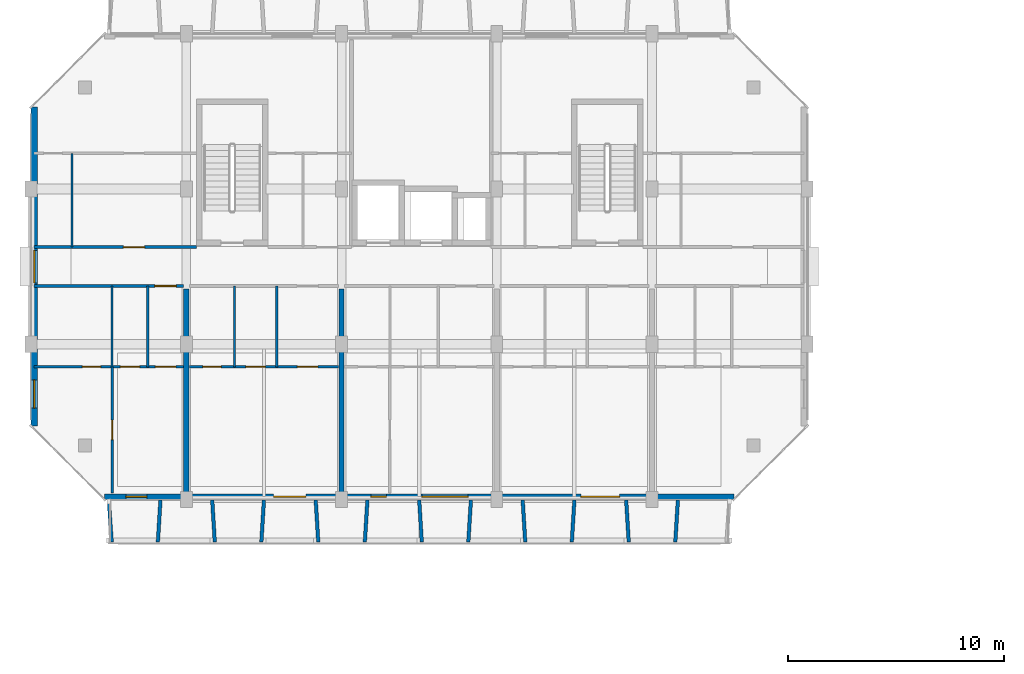
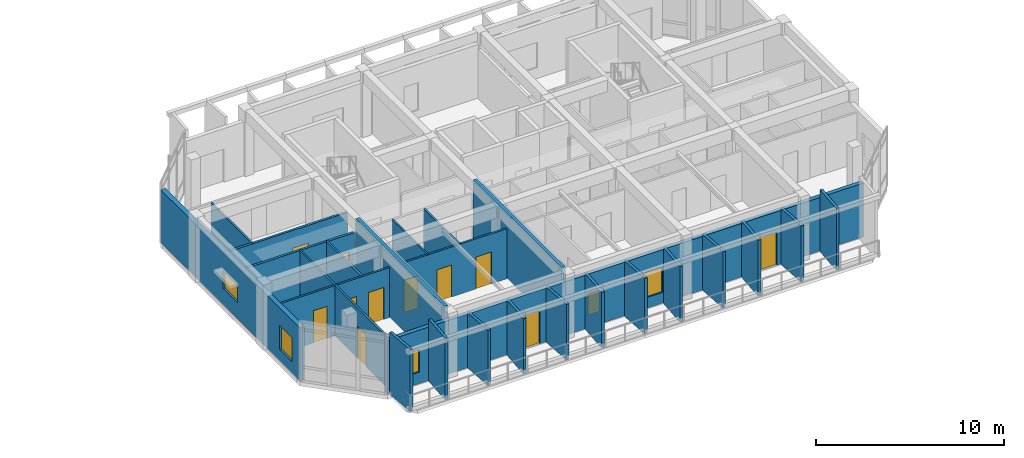
# One storey, part 46 of 85: 26 walls, 11 doors, 5 windows, 16 openings.
"""IFC4 building model written with IfcOpenShell, lengths in metres."""

import ifcopenshell
import ifcopenshell.guid

model = None  # the IFC model being written
_history = None  # IfcOwnerHistory: only IFC2X3 demands one
_inside = {}  # id of a spatial element -> (the spatial element, [elements in it])
_under = {}  # id of a project, library or spatial element -> (it, [spatial elements below it])
_declared = {}  # id of a project -> (the project, [libraries it declares])
_typed = {}  # id of a type object -> (the type object, [elements of that type])
_made_of = {}  # id of a material, layer set ... -> (it, [elements and type objects made of it])


def new_model(schema):
    """Start an empty IFC model of exactly this schema.

    Asked for "IFC4X3", IfcOpenShell would pick the latest addendum, in which some entities
    have other attributes; the version numbers below select the first issue.
    IFC2X3 requires an IfcOwnerHistory on every rooted entity: one is made here for all.
    """
    global model, _history
    if schema == "IFC4X3":
        model = ifcopenshell.file(schema_version=(4, 3, 0, 0))
    else:
        model = ifcopenshell.file(schema=schema)
    _inside.clear()
    _under.clear()
    _declared.clear()
    _typed.clear()
    _made_of.clear()
    _history = None
    if model.schema == "IFC2X3":
        org = make("IfcOrganization", Name="unknown")
        user = make(
            "IfcPersonAndOrganization",
            ThePerson=make("IfcPerson", FamilyName="unknown"),
            TheOrganization=org,
        )
        app = make(
            "IfcApplication",
            ApplicationDeveloper=org,
            Version="unknown",
            ApplicationFullName="unknown",
            ApplicationIdentifier="unknown",
        )
        _history = make(
            "IfcOwnerHistory",
            OwningUser=user,
            OwningApplication=app,
            ChangeAction="ADDED",
            CreationDate=0,
        )
    return model


def make(cls, **values):
    """One entity of the class cls with the attributes given. An attribute that is None is left unset."""
    return model.create_entity(
        cls, **{name: value for name, value in values.items() if value is not None}
    )


def rooted(cls, **values):
    """An entity with a GlobalId (a new one), such as an element, a storey or a relation."""
    return make(cls, GlobalId=ifcopenshell.guid.new(), OwnerHistory=_history, **values)


def si_unit(unit_type, name, prefix=None):
    """IfcSIUnit, for example si_unit("LENGTHUNIT", "METRE", prefix="MILLI")."""
    return make("IfcSIUnit", UnitType=unit_type, Prefix=prefix, Name=name)


def assignment(units):
    """IfcUnitAssignment: the units of a project."""
    return None if units is None else make("IfcUnitAssignment", Units=units)


def point(xyz):
    """IfcCartesianPoint."""
    return None if xyz is None else make("IfcCartesianPoint", Coordinates=xyz)


def direction(xyz):
    """IfcDirection."""
    return None if xyz is None else make("IfcDirection", DirectionRatios=xyz)


def frame(location, z_axis=None, x_axis=None):
    """IfcAxis2Placement3D, a coordinate frame: its origin and axes. An axis left out is left unset."""
    return make(
        "IfcAxis2Placement3D",
        Location=point(location),
        Axis=direction(z_axis),
        RefDirection=direction(x_axis),
    )


def frame_2d(location, x_axis=None):
    """IfcAxis2Placement2D, a coordinate frame in the plane: its origin and x axis."""
    return make(
        "IfcAxis2Placement2D", Location=point(location), RefDirection=direction(x_axis)
    )


def origin():
    """The frame at (0, 0, 0) with its axes left unset."""
    return frame((0.0, 0.0, 0.0))


def place(relative_to, where):
    """IfcLocalPlacement: puts the frame where relative to a parent placement (None: the world)."""
    return make(
        "IfcLocalPlacement", PlacementRelTo=relative_to, RelativePlacement=where
    )


def context(
    kind, dimensions, precision=None, world=None, true_north=None, identifier=None
):
    """IfcGeometricRepresentationContext, for example the 3D "Model" context."""
    return make(
        "IfcGeometricRepresentationContext",
        ContextIdentifier=identifier,
        ContextType=kind,
        CoordinateSpaceDimension=dimensions,
        Precision=precision,
        WorldCoordinateSystem=world,
        TrueNorth=true_north,
    )


def subcontext(parent, identifier, kind, view, scale=None):
    """IfcGeometricRepresentationSubContext, for example "Body" below "Model"."""
    return make(
        "IfcGeometricRepresentationSubContext",
        ContextIdentifier=identifier,
        ContextType=kind,
        ParentContext=parent,
        TargetScale=scale,
        TargetView=view,
    )


def project(units=None, contexts=None):
    """IfcProject with its units and contexts."""
    return rooted(
        "IfcProject",
        Name="project",
        RepresentationContexts=contexts,
        UnitsInContext=assignment(units),
    )


def spatial(cls, under=None, at=None, **own):
    """A site, building, storey or space (cls), placed at a placement, below another one or the project."""
    s = rooted(cls, ObjectPlacement=at, **own)
    if under is not None:
        _under.setdefault(under.id(), (under, []))[1].append(s)
    return s


def profile(cls, at=None, kind="AREA", **sizes):
    """A parametric profile (cls). Its sizes go by their IFC names, for example OverallWidth=200.0."""
    return make(cls, ProfileType=kind, Position=at, **sizes)


def rectangle(**sizes):
    """IfcRectangleProfileDef."""
    return profile("IfcRectangleProfileDef", **sizes)


def extrude(swept, where, along, depth):
    """IfcExtrudedAreaSolid: the profile swept, set in the frame where, extruded along a direction by depth."""
    return make(
        "IfcExtrudedAreaSolid",
        SweptArea=swept,
        Position=where,
        ExtrudedDirection=direction(along),
        Depth=depth,
    )


def shape(context_of_items, identifier, shape_type, items):
    """IfcShapeRepresentation: the items that make up one representation, for example the "Body"."""
    return make(
        "IfcShapeRepresentation",
        ContextOfItems=context_of_items,
        RepresentationIdentifier=identifier,
        RepresentationType=shape_type,
        Items=items,
    )


def material(Name=None, Category=None):
    """IfcMaterial."""
    return make("IfcMaterial", Name=Name, Category=Category)


def layer(
    of_material, thickness, ventilated=None, Name=None, Category=None, Priority=None
):
    """IfcMaterialLayer: one layer of a wall or slab, of a material (None: an air gap)."""
    return make(
        "IfcMaterialLayer",
        Material=of_material,
        LayerThickness=thickness,
        IsVentilated=ventilated,
        Name=Name,
        Category=Category,
        Priority=Priority,
    )


def layer_set(layers, Name=None):
    """IfcMaterialLayerSet."""
    return make("IfcMaterialLayerSet", MaterialLayers=layers, LayerSetName=Name)


def made_of(thing, what):
    """Note that an element or type object is made of a material, layer set ...; save() writes the relation."""
    if what is not None:
        _made_of.setdefault(what.id(), (what, []))[1].append(thing)
    return thing


def type_object(cls, material=None, **own):
    """A type object (cls), such as IfcWallType, which elements share."""
    return made_of(rooted(cls, **own), material)


def element(
    cls,
    number,
    at=None,
    inside=None,
    cuts=None,
    type_object=None,
    material=None,
    context=None,
    identifier="Body",
    shape_type=None,
    held_by="IfcProductDefinitionShape",
    body=None,
    shapes=None,
    **own,
):
    """One element of the class cls, such as IfcWall. Its Tag is "e" and its number.

    at: its placement. inside: the storey or other place that contains it. cuts: it is an
    opening in that element (IfcRelVoidsElement). A single representation is given by context,
    identifier, shape_type and body (its items); several are given by shapes. held_by: the class
    of the entity that holds the representations. save() writes the other relations.
    """
    e = rooted(cls, Tag="e%d" % number, ObjectPlacement=at, **own)
    if body is not None:
        shapes = [shape(context, identifier, shape_type, body)]
    if shapes is not None:
        e.Representation = make(held_by, Representations=shapes)
    if inside is not None:
        _inside.setdefault(inside.id(), (inside, []))[1].append(e)
    if cuts is not None:
        rooted(
            "IfcRelVoidsElement", RelatingBuildingElement=cuts, RelatedOpeningElement=e
        )
    if type_object is not None:
        _typed.setdefault(type_object.id(), (type_object, []))[1].append(e)
    return made_of(e, material)


def fill(opening, filler):
    """IfcRelFillsElement: the door or window that sits in an opening."""
    return rooted(
        "IfcRelFillsElement",
        RelatingOpeningElement=opening,
        RelatedBuildingElement=filler,
    )


def aggregate(whole, parts):
    """IfcRelAggregates: a whole, such as a stair, and the parts it consists of."""
    return rooted("IfcRelAggregates", RelatingObject=whole, RelatedObjects=parts)


def save(model, path):
    """Write the relations noted so far, then the file.

    IfcRelAggregates (storeys below a building ...), IfcRelContainedInSpatialStructure (elements
    in a storey), IfcRelDefinesByType, IfcRelAssociatesMaterial and IfcRelDeclares: one each for
    every whole, place, type object, material and project.
    """
    for whole, parts in _under.values():
        aggregate(whole, parts)
    for where, things in _inside.values():
        rooted(
            "IfcRelContainedInSpatialStructure",
            RelatedElements=things,
            RelatingStructure=where,
        )
    for kind, things in _typed.values():
        rooted("IfcRelDefinesByType", RelatedObjects=things, RelatingType=kind)
    for what, things in _made_of.values():
        rooted("IfcRelAssociatesMaterial", RelatedObjects=things, RelatingMaterial=what)
    for by, libraries in _declared.values():
        rooted("IfcRelDeclares", RelatingContext=by, RelatedDefinitions=libraries)
    model.write(path)


model = new_model("IFC4")

# Units and contexts
model_context = context("Model", 3, precision=1e-05, world=origin(), true_north=direction((0.0, 1.0)))
body_context = subcontext(model_context, "Body", "Model", "MODEL_VIEW")
ifc_project = project(units=[si_unit("LENGTHUNIT", "METRE"), si_unit("AREAUNIT", "SQUARE_METRE"), si_unit("VOLUMEUNIT", "CUBIC_METRE"), si_unit("PLANEANGLEUNIT", "RADIAN"), si_unit("MASSUNIT", "GRAM", prefix="KILO")], contexts=[model_context])

# Site, building, storey
site_placement = place(None, origin())
site = spatial("IfcSite", under=ifc_project, at=site_placement, CompositionType="ELEMENT")
building_placement = place(site_placement, origin())
building = spatial("IfcBuilding", under=site, at=building_placement, Name="Ochrevale Crest", CompositionType="ELEMENT")
storey_placement = place(building_placement, frame((0.0, 0.0, 4.5)))
storey = spatial("IfcBuildingStorey", under=building, at=storey_placement, Name="L01", CompositionType="ELEMENT", Elevation=4.5)

# Wall, opening, door
ifc_material_1 = material(Name="Gypsum plasterboard", Category="gypsum")
ifc_layer_1 = layer(ifc_material_1, 0.139892578125)
ifc_layer_set_1 = layer_set([ifc_layer_1], Name="Gypsum plasterboard")
wall_type_1 = type_object("IfcWallType", Name="WL-COR-140", PredefinedType="PARTITIONING", material=ifc_layer_set_1)
wall_1_placement = place(storey_placement, frame((0.139892578125, 24.300048828125, 0.0), z_axis=(0.0, 0.0, 1.0), x_axis=(1.0, 0.0, 0.0)))
wall_1 = element("IfcWall", 1, at=wall_1_placement, inside=storey, type_object=wall_type_1, Name="Apartment A-L01-U1 corridor wall", PredefinedType="PARTITIONING", context=body_context, shape_type="SweptSolid", body=[
    extrude(rectangle(XDim=6.920166015625, YDim=0.139892578125, at=frame_2d((3.4599609375, 0.0))), origin(), (0.0, 0.0, 1.0), 3.25),
])
opening_1_placement = place(wall_1_placement, frame((6.5849609375, 0.0, 0.0), z_axis=(0.0, 0.0, 1.0), x_axis=(-1.0, 0.0, 0.0)))
opening_1 = element("IfcOpeningElement", 2, at=opening_1_placement, cuts=wall_1, Name="Opening FD01", PredefinedType="OPENING", context=body_context, shape_type="SweptSolid", body=[
    extrude(rectangle(XDim=0.97998046875, YDim=2.10009765625, at=frame_2d((0.489990234375, 1.050048828125))), frame((0.0, 0.080078125, 0.0), z_axis=(0.0, -1.0, 0.0), x_axis=(1.0, 0.0, 0.0)), (0.0, 0.0, 1.0), 0.159912109375),
])
ifc_material_2 = material(Name="Solid-core FSC hardwood", Category="wood")
door_type_1 = type_object("IfcDoorType", Name="DR-APT-950", OperationType="NOTDEFINED", PredefinedType="DOOR", material=ifc_material_2)
door_1_placement = place(opening_1_placement, origin())
door_1 = element("IfcDoor", 3, at=door_1_placement, inside=storey, type_object=door_type_1, Name="Apartment A-L01-U1 entrance door", OperationType="SINGLE_SWING_RIGHT", OverallHeight=2.10009765625, OverallWidth=0.97998046875, PredefinedType="DOOR", context=body_context, shape_type="SweptSolid", body=[
    extrude(rectangle(XDim=0.97998046875, YDim=2.10009765625, at=frame_2d((0.489990234375, 1.050048828125))), frame((0.0, 0.02490234375, 0.0), z_axis=(0.0, -1.0, 0.0), x_axis=(1.0, 0.0, 0.0)), (0.0, 0.0, 1.0), 0.050048828125),
])
fill(opening_1, door_1)

wall_2_placement = place(storey_placement, frame((0.139892578125, 26.10009765625, 0.0), z_axis=(0.0, 0.0, 1.0), x_axis=(1.0, 0.0, 0.0)))
wall_2 = element("IfcWall", 4, at=wall_2_placement, inside=storey, type_object=wall_type_1, Name="Suite A-L01-CW corridor wall", PredefinedType="PARTITIONING", context=body_context, shape_type="SweptSolid", body=[
    extrude(rectangle(XDim=7.52001953125, YDim=0.139892578125, at=frame_2d((3.760009765625, 0.0))), origin(), (0.0, 0.0, 1.0), 3.25),
])
opening_2_placement = place(wall_2_placement, frame((5.125, 0.0, 0.0), z_axis=(0.0, 0.0, 1.0), x_axis=(-1.0, 0.0, 0.0)))
opening_2 = element("IfcOpeningElement", 5, at=opening_2_placement, cuts=wall_2, Name="Opening FD01", PredefinedType="OPENING", context=body_context, shape_type="SweptSolid", body=[
    extrude(rectangle(XDim=0.97998046875, YDim=2.10009765625, at=frame_2d((0.489990234375, 1.050048828125))), frame((0.0, 0.080078125, 0.0), z_axis=(0.0, -1.0, 0.0), x_axis=(1.0, 0.0, 0.0)), (0.0, 0.0, 1.0), 0.159912109375),
])
door_2_placement = place(opening_2_placement, origin())
door_2 = element("IfcDoor", 6, at=door_2_placement, inside=storey, type_object=door_type_1, Name="Suite A-L01-CW entrance door", OperationType="SINGLE_SWING_RIGHT", OverallHeight=2.10009765625, OverallWidth=0.97998046875, PredefinedType="DOOR", context=body_context, shape_type="SweptSolid", body=[
    extrude(rectangle(XDim=0.97998046875, YDim=2.10009765625, at=frame_2d((0.489990234375, 1.050048828125))), frame((0.0, 0.02490234375, 0.0), z_axis=(0.0, -1.0, 0.0), x_axis=(1.0, 0.0, 0.0)), (0.0, 0.0, 1.0), 0.050048828125),
])
fill(opening_2, door_2)

# Wall, openings, windows
ifc_material_3 = material(Name="Clay face brickwork", Category="masonry")
ifc_layer_2 = layer(ifc_material_3, 0.2900390625)
ifc_layer_set_2 = layer_set([ifc_layer_2], Name="Clay face brickwork")
wall_type_2 = type_object("IfcWallType", Name="WL-EXT-BRICK-290", PredefinedType="SOLIDWALL", material=ifc_layer_set_2)
wall_3_placement = place(storey_placement, frame((0.14501953125, 32.60009765625, 0.0), z_axis=(0.0, 0.0, 1.0), x_axis=(0.0, -1.0, 0.0)))
wall_3 = element("IfcWall", 7, at=wall_3_placement, inside=storey, type_object=wall_type_2, Name="Block A L01 external facade wall E7", PredefinedType="SOLIDWALL", context=body_context, shape_type="SweptSolid", body=[
    extrude(rectangle(XDim=14.800048828125, YDim=0.2900390625, at=frame_2d((7.39990234375, 0.0))), origin(), (0.0, 0.0, 1.0), 3.429931640625),
])
opening_3_placement = place(wall_3_placement, frame((6.64990234375, 0.0, 1.050048828125)))
opening_3 = element("IfcOpeningElement", 8, at=opening_3_placement, cuts=wall_3, Name="Opening W18", PredefinedType="OPENING", context=body_context, shape_type="SweptSolid", body=[
    extrude(rectangle(XDim=1.5, YDim=1.14990234375, at=frame_2d((0.75, 0.574951171875))), frame((0.0, 0.155029296875, 0.0), z_axis=(0.0, -1.0, 0.0), x_axis=(1.0, 0.0, 0.0)), (0.0, 0.0, 1.0), 0.31005859375),
])
opening_4_placement = place(wall_3_placement, frame((12.659912109375, 0.0, 0.75)))
opening_4 = element("IfcOpeningElement", 9, at=opening_4_placement, cuts=wall_3, Name="Opening W30", PredefinedType="OPENING", context=body_context, shape_type="SweptSolid", body=[
    extrude(rectangle(XDim=1.300048828125, YDim=1.550048828125, at=frame_2d((0.64990234375, 0.77490234375))), frame((0.0, 0.155029296875, 0.0), z_axis=(0.0, -1.0, 0.0), x_axis=(1.0, 0.0, 0.0)), (0.0, 0.0, 1.0), 0.31005859375),
])
ifc_material_4 = material(Name="Anodised aluminium 6063-T5 and low-E double glazing", Category="aluminium")
window_type_1 = type_object("IfcWindowType", Name="WIN-W18", PartitioningType="SINGLE_PANEL", PredefinedType="WINDOW", material=ifc_material_4)
window_1_placement = place(opening_3_placement, origin())
window_1 = element("IfcWindow", 10, at=window_1_placement, inside=storey, type_object=window_type_1, Name="Block A L01 corridor end daylight window W", OverallHeight=1.14990234375, OverallWidth=1.5, PartitioningType="SINGLE_PANEL", PredefinedType="WINDOW", context=body_context, shape_type="SweptSolid", body=[
    extrude(rectangle(XDim=1.5, YDim=1.14990234375, at=frame_2d((0.75, 0.574951171875))), frame((0.0, 0.030029296875, 0.0), z_axis=(0.0, -1.0, 0.0), x_axis=(1.0, 0.0, 0.0)), (0.0, 0.0, 1.0), 0.06005859375),
])
fill(opening_3, window_1)
window_type_2 = type_object("IfcWindowType", Name="WIN-W30", PartitioningType="SINGLE_PANEL", PredefinedType="WINDOW", material=ifc_material_4)
window_2_placement = place(opening_4_placement, origin())
window_2 = element("IfcWindow", 11, at=window_2_placement, inside=storey, type_object=window_type_2, Name="Block A L01 side suite window W", OverallHeight=1.550048828125, OverallWidth=1.300048828125, PartitioningType="SINGLE_PANEL", PredefinedType="WINDOW", context=body_context, shape_type="SweptSolid", body=[
    extrude(rectangle(XDim=1.300048828125, YDim=1.550048828125, at=frame_2d((0.64990234375, 0.77490234375))), frame((0.0, 0.030029296875, 0.0), z_axis=(0.0, -1.0, 0.0), x_axis=(1.0, 0.0, 0.0)), (0.0, 0.0, 1.0), 0.06005859375),
])
fill(opening_4, window_2)

# Wall, openings, doors, windows
ifc_material_5 = material(Name="Precast concrete C40/50", Category="concrete")
ifc_layer_3 = layer(ifc_material_5, 0.25)
ifc_layer_set_3 = layer_set([ifc_layer_3], Name="Precast concrete C40/50")
wall_type_3 = type_object("IfcWallType", Name="WL-EXT-GOLD-250", PredefinedType="SOLIDWALL", material=ifc_layer_set_3)
wall_4_placement = place(storey_placement, frame((3.39990234375, 14.52490234375, 0.0), z_axis=(0.0, 0.0, 1.0), x_axis=(1.0, 0.0, 0.0)))
wall_4 = element("IfcWall", 12, at=wall_4_placement, inside=storey, type_object=wall_type_3, Name="Block A L01 external facade wall E1", PredefinedType="SOLIDWALL", context=body_context, shape_type="SweptSolid", body=[
    extrude(rectangle(XDim=29.2001953125, YDim=0.25, at=frame_2d((14.60009765625, 0.0))), origin(), (0.0, 0.0, 1.0), 3.47998046875),
])
opening_5_placement = place(wall_4_placement, frame((9.35009765625, 0.0, 0.0), z_axis=(0.0, 0.0, 1.0), x_axis=(-1.0, 0.0, 0.0)))
opening_5 = element("IfcOpeningElement", 13, at=opening_5_placement, cuts=wall_4, Name="Opening BD01", PredefinedType="OPENING", context=body_context, shape_type="SweptSolid", body=[
    extrude(rectangle(XDim=1.5, YDim=2.14990234375, at=frame_2d((0.75, 1.074951171875))), frame((0.0, 0.135009765625, 0.0), z_axis=(0.0, -1.0, 0.0), x_axis=(1.0, 0.0, 0.0)), (0.0, 0.0, 1.0), 0.27001953125),
])
opening_6_placement = place(wall_4_placement, frame((23.900146484375, 0.0, 0.0), z_axis=(0.0, 0.0, 1.0), x_axis=(-1.0, 0.0, 0.0)))
opening_6 = element("IfcOpeningElement", 14, at=opening_6_placement, cuts=wall_4, Name="Opening BD03", PredefinedType="OPENING", context=body_context, shape_type="SweptSolid", body=[
    extrude(rectangle(XDim=1.800048828125, YDim=2.14990234375, at=frame_2d((0.89990234375, 1.074951171875))), frame((0.0, 0.135009765625, 0.0), z_axis=(0.0, -1.0, 0.0), x_axis=(1.0, 0.0, 0.0)), (0.0, 0.0, 1.0), 0.27001953125),
])
opening_7_placement = place(wall_4_placement, frame((0.9951171875, 0.0, 0.75)))
opening_7 = element("IfcOpeningElement", 15, at=opening_7_placement, cuts=wall_4, Name="Opening W04", PredefinedType="OPENING", context=body_context, shape_type="SweptSolid", body=[
    extrude(rectangle(XDim=0.97998046875, YDim=1.449951171875, at=frame_2d((0.489990234375, 0.72509765625))), frame((0.0, 0.135009765625, 0.0), z_axis=(0.0, -1.0, 0.0), x_axis=(1.0, 0.0, 0.0)), (0.0, 0.0, 1.0), 0.27001953125),
])
opening_8_placement = place(wall_4_placement, frame((12.35498046875, 0.0, 0.75)))
opening_8 = element("IfcOpeningElement", 16, at=opening_8_placement, cuts=wall_4, Name="Opening W02", PredefinedType="OPENING", context=body_context, shape_type="SweptSolid", body=[
    extrude(rectangle(XDim=0.719970703125, YDim=1.35009765625, at=frame_2d((0.35986328125, 0.675048828125))), frame((0.0, 0.135009765625, 0.0), z_axis=(0.0, -1.0, 0.0), x_axis=(1.0, 0.0, 0.0)), (0.0, 0.0, 1.0), 0.27001953125),
])
opening_9_placement = place(wall_4_placement, frame((14.72509765625, 0.0, 0.699951171875)))
opening_9 = element("IfcOpeningElement", 17, at=opening_9_placement, cuts=wall_4, Name="Opening W13", PredefinedType="OPENING", context=body_context, shape_type="SweptSolid", body=[
    extrude(rectangle(XDim=2.14990234375, YDim=1.64990234375, at=frame_2d((1.074951171875, 0.824951171875))), frame((0.0, 0.135009765625, 0.0), z_axis=(0.0, -1.0, 0.0), x_axis=(1.0, 0.0, 0.0)), (0.0, 0.0, 1.0), 0.27001953125),
])
ifc_material_6 = material(Name="Anodised aluminium 6063-T5 and toughened glass", Category="aluminium")
door_type_2 = type_object("IfcDoorType", Name="DR-BAL-1500", OperationType="NOTDEFINED", PredefinedType="DOOR", material=ifc_material_6)
door_3_placement = place(opening_5_placement, origin())
door_3 = element("IfcDoor", 18, at=door_3_placement, inside=storey, type_object=door_type_2, Name="Block A L01 balcony door S2", OperationType="SINGLE_SWING_LEFT", OverallHeight=2.14990234375, OverallWidth=1.5, PredefinedType="DOOR", context=body_context, shape_type="SweptSolid", body=[
    extrude(rectangle(XDim=1.5, YDim=2.14990234375, at=frame_2d((0.75, 1.074951171875))), frame((0.0, 0.02490234375, 0.0), z_axis=(0.0, -1.0, 0.0), x_axis=(1.0, 0.0, 0.0)), (0.0, 0.0, 1.0), 0.050048828125),
])
fill(opening_5, door_3)
door_type_3 = type_object("IfcDoorType", Name="DR-BAL-1800", OperationType="NOTDEFINED", PredefinedType="DOOR", material=ifc_material_6)
door_4_placement = place(opening_6_placement, origin())
door_4 = element("IfcDoor", 19, at=door_4_placement, inside=storey, type_object=door_type_3, Name="Block A L01 balcony door S4", OperationType="SINGLE_SWING_RIGHT", OverallHeight=2.14990234375, OverallWidth=1.800048828125, PredefinedType="DOOR", context=body_context, shape_type="SweptSolid", body=[
    extrude(rectangle(XDim=1.800048828125, YDim=2.14990234375, at=frame_2d((0.89990234375, 1.074951171875))), frame((0.0, 0.02490234375, 0.0), z_axis=(0.0, -1.0, 0.0), x_axis=(1.0, 0.0, 0.0)), (0.0, 0.0, 1.0), 0.050048828125),
])
fill(opening_6, door_4)
window_type_3 = type_object("IfcWindowType", Name="WIN-W02", PartitioningType="SINGLE_PANEL", PredefinedType="WINDOW", material=ifc_material_4)
window_3_placement = place(opening_8_placement, origin())
window_3 = element("IfcWindow", 20, at=window_3_placement, inside=storey, type_object=window_type_3, Name="Block A L01 Apartment A-L01-U3 Master Bedroom window", OverallHeight=1.35009765625, OverallWidth=0.719970703125, PartitioningType="SINGLE_PANEL", PredefinedType="WINDOW", context=body_context, shape_type="SweptSolid", body=[
    extrude(rectangle(XDim=0.719970703125, YDim=1.35009765625, at=frame_2d((0.35986328125, 0.675048828125))), frame((0.0, 0.030029296875, 0.0), z_axis=(0.0, -1.0, 0.0), x_axis=(1.0, 0.0, 0.0)), (0.0, 0.0, 1.0), 0.06005859375),
])
fill(opening_8, window_3)
window_type_4 = type_object("IfcWindowType", Name="WIN-W04", PartitioningType="SINGLE_PANEL", PredefinedType="WINDOW", material=ifc_material_4)
window_4_placement = place(opening_7_placement, origin())
window_4 = element("IfcWindow", 21, at=window_4_placement, inside=storey, type_object=window_type_4, Name="Block A L01 Apartment A-L01-U1 Three Bedroom Family Living window", OverallHeight=1.449951171875, OverallWidth=0.97998046875, PartitioningType="SINGLE_PANEL", PredefinedType="WINDOW", context=body_context, shape_type="SweptSolid", body=[
    extrude(rectangle(XDim=0.97998046875, YDim=1.449951171875, at=frame_2d((0.489990234375, 0.72509765625))), frame((0.0, 0.030029296875, 0.0), z_axis=(0.0, -1.0, 0.0), x_axis=(1.0, 0.0, 0.0)), (0.0, 0.0, 1.0), 0.06005859375),
])
fill(opening_7, window_4)
window_type_5 = type_object("IfcWindowType", Name="WIN-W13", PartitioningType="SINGLE_PANEL", PredefinedType="WINDOW", material=ifc_material_4)
window_5_placement = place(opening_9_placement, origin())
window_5 = element("IfcWindow", 22, at=window_5_placement, inside=storey, type_object=window_type_5, Name="Block A L01 Apartment A-L01-U3 One Bedroom Living Room window", OverallHeight=1.64990234375, OverallWidth=2.14990234375, PartitioningType="SINGLE_PANEL", PredefinedType="WINDOW", context=body_context, shape_type="SweptSolid", body=[
    extrude(rectangle(XDim=2.14990234375, YDim=1.64990234375, at=frame_2d((1.074951171875, 0.824951171875))), frame((0.0, 0.030029296875, 0.0), z_axis=(0.0, -1.0, 0.0), x_axis=(1.0, 0.0, 0.0)), (0.0, 0.0, 1.0), 0.06005859375),
])
fill(opening_9, window_5)

# Walls
ifc_layer_4 = layer(ifc_material_5, 0.1650390625)
ifc_layer_set_4 = layer_set([ifc_layer_4], Name="Precast concrete C40/50")
wall_type_4 = type_object("IfcWallType", Name="WL-HC-CHEEK-165", PredefinedType="ELEMENTEDWALL", material=ifc_layer_set_4)
wall_5_placement = place(storey_placement, frame((3.60009765625, 14.3798828125, 0.0), z_axis=(0.0, 0.0, 1.0), x_axis=(0.071194071069, -0.997462482625, 0.0)))
element("IfcWall", 23, at=wall_5_placement, inside=storey, type_object=wall_type_4, Name="Block A L01 S precast honeycomb cheek 1", PredefinedType="ELEMENTEDWALL", context=body_context, shape_type="SweptSolid", body=[
    extrude(rectangle(XDim=1.96484375, YDim=0.1650390625, at=frame_2d((0.982421875, 0.0))), origin(), (0.0, 0.0, 1.0), 4.0),
])
wall_6_placement = place(storey_placement, frame((6.0, 14.3798828125, 0.0), z_axis=(0.0, 0.0, 1.0), x_axis=(-0.061170732449, -0.998127317276, 0.0)))
element("IfcWall", 24, at=wall_6_placement, inside=storey, type_object=wall_type_4, Name="Block A L01 S precast honeycomb cheek 2", PredefinedType="ELEMENTEDWALL", context=body_context, shape_type="SweptSolid", body=[
    extrude(rectangle(XDim=1.963623046875, YDim=0.1650390625, at=frame_2d((0.98193359375, 0.0))), origin(), (0.0, 0.0, 1.0), 4.0),
])
for number, where, z_axis, x_axis, name in (
    (25, (8.39990234375, 14.3798828125, 0.0), (0.0, 0.0, 1.0), (0.061170732449, -0.998127317276, 0.0), "Block A L01 S precast honeycomb cheek 3"),
    (26, (10.800048828125, 14.3798828125, 0.0), (0.0, 0.0, 1.0), (-0.061170732449, -0.998127317276, 0.0), "Block A L01 S precast honeycomb cheek 4"),
    (27, (13.199951171875, 14.3798828125, 0.0), (0.0, 0.0, 1.0), (0.061170732449, -0.998127317276, 0.0), "Block A L01 S precast honeycomb cheek 5"),
):
    element("IfcWall", number, at=place(storey_placement, frame(where, z_axis=z_axis, x_axis=x_axis)), inside=storey, type_object=wall_type_4, Name=name, PredefinedType="ELEMENTEDWALL", context=body_context, shape_type="SweptSolid", body=[
        extrude(rectangle(XDim=1.963623046875, YDim=0.1650390625, at=frame_2d((0.98193359375, 0.0))), origin(), (0.0, 0.0, 1.0), 3.580078125),
    ])
for number, where, z_axis, x_axis, name in (
    (28, (15.60009765625, 14.3798828125, 0.0), (0.0, 0.0, 1.0), (-0.061170732449, -0.998127317276, 0.0), "Block A L01 S precast honeycomb cheek 6"),
    (29, (18.0, 14.3798828125, 0.0), (0.0, 0.0, 1.0), (0.061170732449, -0.998127317276, 0.0), "Block A L01 S precast honeycomb cheek 7"),
    (30, (20.39990234375, 14.3798828125, 0.0), (0.0, 0.0, 1.0), (-0.061046865508, -0.998134900808, 0.0), "Block A L01 S precast honeycomb cheek 8"),
):
    element("IfcWall", number, at=place(storey_placement, frame(where, z_axis=z_axis, x_axis=x_axis)), inside=storey, type_object=wall_type_4, Name=name, PredefinedType="ELEMENTEDWALL", context=body_context, shape_type="SweptSolid", body=[
        extrude(rectangle(XDim=1.963623046875, YDim=0.1650390625, at=frame_2d((0.98193359375, 0.0))), origin(), (0.0, 0.0, 1.0), 3.60009765625),
    ])
for number, where, z_axis, x_axis, name in (
    (31, (22.800048828125, 14.3798828125, 0.0), (0.0, 0.0, 1.0), (0.061046865508, -0.998134900808, 0.0), "Block A L01 S precast honeycomb cheek 9"),
    (32, (25.199951171875, 14.3798828125, 0.0), (0.0, 0.0, 1.0), (-0.061046865508, -0.998134900808, 0.0), "Block A L01 S precast honeycomb cheek 10"),
    (33, (27.60009765625, 14.3798828125, 0.0), (0.0, 0.0, 1.0), (0.061046865508, -0.998134900808, 0.0), "Block A L01 S precast honeycomb cheek 11"),
):
    element("IfcWall", number, at=place(storey_placement, frame(where, z_axis=z_axis, x_axis=x_axis)), inside=storey, type_object=wall_type_4, Name=name, PredefinedType="ELEMENTEDWALL", context=body_context, shape_type="SweptSolid", body=[
        extrude(rectangle(XDim=1.963623046875, YDim=0.1650390625, at=frame_2d((0.98193359375, 0.0))), origin(), (0.0, 0.0, 1.0), 3.6298828125),
    ])
wall_7_placement = place(storey_placement, frame((30.0, 14.3798828125, 0.0), z_axis=(0.0, 0.0, 1.0), x_axis=(-0.061170732449, -0.998127317276, 0.0)))
element("IfcWall", 34, at=wall_7_placement, inside=storey, type_object=wall_type_4, Name="Block A L01 S precast honeycomb cheek 12", PredefinedType="ELEMENTEDWALL", context=body_context, shape_type="SweptSolid", body=[
    extrude(rectangle(XDim=1.963623046875, YDim=0.1650390625, at=frame_2d((0.98193359375, 0.0))), origin(), (0.0, 0.0, 1.0), 4.0),
])
ifc_layer_5 = layer(ifc_material_1, 0.1201171875)
ifc_layer_set_5 = layer_set([ifc_layer_5], Name="Gypsum plasterboard")
wall_type_5 = type_object("IfcWallType", Name="WL-PART-120", PredefinedType="PARTITIONING", material=ifc_layer_set_5)
wall_8_placement = place(storey_placement, frame((5.409912109375, 20.550048828125, 0.0), z_axis=(0.0, 0.0, 1.0), x_axis=(0.0, 1.0, 0.0)))
element("IfcWall", 35, at=wall_8_placement, inside=storey, type_object=wall_type_5, Name="Apartment A-L01-U1 kitchen-foyer wall", PredefinedType="PARTITIONING", context=body_context, shape_type="SweptSolid", body=[
    extrude(rectangle(XDim=3.75, YDim=0.1201171875, at=frame_2d((1.875, 0.0))), origin(), (0.0, 0.0, 1.0), 3.25),
])

# Wall, openings, doors
wall_9_placement = place(storey_placement, frame((0.139892578125, 20.550048828125, 0.0), z_axis=(0.0, 0.0, 1.0), x_axis=(1.0, 0.0, 0.0)))
wall_9 = element("IfcWall", 36, at=wall_9_placement, inside=storey, type_object=wall_type_5, Name="Apartment A-L01-U1 central partition", PredefinedType="PARTITIONING", context=body_context, shape_type="SweptSolid", body=[
    extrude(rectangle(XDim=6.920166015625, YDim=0.1201171875, at=frame_2d((3.4599609375, 0.0))), origin(), (0.0, 0.0, 1.0), 3.25),
])
opening_10_placement = place(wall_9_placement, frame((2.239990234375, 0.0, 0.0)))
opening_10 = element("IfcOpeningElement", 37, at=opening_10_placement, cuts=wall_9, Name="Opening ID01", PredefinedType="OPENING", context=body_context, shape_type="SweptSolid", body=[
    extrude(rectangle(XDim=0.85009765625, YDim=2.080078125, at=frame_2d((0.425048828125, 1.0400390625))), frame((0.0, 0.070068359375, 0.0), z_axis=(0.0, -1.0, 0.0), x_axis=(1.0, 0.0, 0.0)), (0.0, 0.0, 1.0), 0.14013671875),
])
opening_11_placement = place(wall_9_placement, frame((4.89501953125, 0.0, 0.0), z_axis=(0.0, 0.0, 1.0), x_axis=(-1.0, 0.0, 0.0)))
opening_11 = element("IfcOpeningElement", 38, at=opening_11_placement, cuts=wall_9, Name="Opening ID02", PredefinedType="OPENING", context=body_context, shape_type="SweptSolid", body=[
    extrude(rectangle(XDim=0.89990234375, YDim=2.080078125, at=frame_2d((0.449951171875, 1.0400390625))), frame((0.0, 0.070068359375, 0.0), z_axis=(0.0, -1.0, 0.0), x_axis=(1.0, 0.0, 0.0)), (0.0, 0.0, 1.0), 0.14013671875),
])
opening_12_placement = place(wall_9_placement, frame((5.6201171875, 0.0, 0.0)))
opening_12 = element("IfcOpeningElement", 39, at=opening_12_placement, cuts=wall_9, Name="Opening ID06", PredefinedType="OPENING", context=body_context, shape_type="SweptSolid", body=[
    extrude(rectangle(XDim=0.949951171875, YDim=2.080078125, at=frame_2d((0.47509765625, 1.0400390625))), frame((0.0, 0.070068359375, 0.0), z_axis=(0.0, -1.0, 0.0), x_axis=(1.0, 0.0, 0.0)), (0.0, 0.0, 1.0), 0.14013671875),
])
door_type_4 = type_object("IfcDoorType", Name="DR-INT-900", OperationType="NOTDEFINED", PredefinedType="DOOR", material=ifc_material_2)
door_5_placement = place(opening_11_placement, origin())
door_5 = element("IfcDoor", 40, at=door_5_placement, inside=storey, type_object=door_type_4, Name="Apartment A-L01-U1 Kitchen door", OperationType="SINGLE_SWING_RIGHT", OverallHeight=2.080078125, OverallWidth=0.89990234375, PredefinedType="DOOR", context=body_context, shape_type="SweptSolid", body=[
    extrude(rectangle(XDim=0.89990234375, YDim=2.080078125, at=frame_2d((0.449951171875, 1.0400390625))), frame((0.0, 0.02490234375, 0.0), z_axis=(0.0, -1.0, 0.0), x_axis=(1.0, 0.0, 0.0)), (0.0, 0.0, 1.0), 0.050048828125),
])
fill(opening_11, door_5)
door_type_5 = type_object("IfcDoorType", Name="DR-INT-950", OperationType="NOTDEFINED", PredefinedType="DOOR", material=ifc_material_2)
door_6_placement = place(opening_12_placement, origin())
door_6 = element("IfcDoor", 41, at=door_6_placement, inside=storey, type_object=door_type_5, Name="Apartment A-L01-U1 Living Foyer door", OperationType="SINGLE_SWING_LEFT", OverallHeight=2.080078125, OverallWidth=0.949951171875, PredefinedType="DOOR", context=body_context, shape_type="SweptSolid", body=[
    extrude(rectangle(XDim=0.949951171875, YDim=2.080078125, at=frame_2d((0.47509765625, 1.0400390625))), frame((0.0, 0.02490234375, 0.0), z_axis=(0.0, -1.0, 0.0), x_axis=(1.0, 0.0, 0.0)), (0.0, 0.0, 1.0), 0.050048828125),
])
fill(opening_12, door_6)
door_type_6 = type_object("IfcDoorType", Name="DR-WC-850", OperationType="NOTDEFINED", PredefinedType="DOOR", material=ifc_material_2)
door_7_placement = place(opening_10_placement, origin())
door_7 = element("IfcDoor", 42, at=door_7_placement, inside=storey, type_object=door_type_6, Name="Apartment A-L01-U1 Bathroom door", OperationType="SINGLE_SWING_LEFT", OverallHeight=2.080078125, OverallWidth=0.85009765625, PredefinedType="DOOR", context=body_context, shape_type="SweptSolid", body=[
    extrude(rectangle(XDim=0.85009765625, YDim=2.080078125, at=frame_2d((0.425048828125, 1.0400390625))), frame((0.0, 0.02490234375, 0.0), z_axis=(0.0, -1.0, 0.0), x_axis=(1.0, 0.0, 0.0)), (0.0, 0.0, 1.0), 0.050048828125),
])
fill(opening_10, door_7)

# Wall, opening, door
wall_10_placement = place(storey_placement, frame((3.760009765625, 14.699951171875, 0.0), z_axis=(0.0, 0.0, 1.0), x_axis=(0.0, 1.0, 0.0)))
wall_10 = element("IfcWall", 43, at=wall_10_placement, inside=storey, type_object=wall_type_5, Name="Apartment A-L01-U1 bedroom partition", PredefinedType="PARTITIONING", context=body_context, shape_type="SweptSolid", body=[
    extrude(rectangle(XDim=5.85009765625, YDim=0.1201171875, at=frame_2d((2.925048828125, 0.0))), origin(), (0.0, 0.0, 1.0), 3.25),
])
opening_13_placement = place(wall_10_placement, frame((3.375, 0.0, 0.0), z_axis=(0.0, 0.0, 1.0), x_axis=(-1.0, 0.0, 0.0)))
opening_13 = element("IfcOpeningElement", 44, at=opening_13_placement, cuts=wall_10, Name="Opening ID02", PredefinedType="OPENING", context=body_context, shape_type="SweptSolid", body=[
    extrude(rectangle(XDim=0.89990234375, YDim=2.080078125, at=frame_2d((0.449951171875, 1.0400390625))), frame((0.0, 0.070068359375, 0.0), z_axis=(0.0, -1.0, 0.0), x_axis=(1.0, 0.0, 0.0)), (0.0, 0.0, 1.0), 0.14013671875),
])
door_8_placement = place(opening_13_placement, origin())
door_8 = element("IfcDoor", 45, at=door_8_placement, inside=storey, type_object=door_type_4, Name="Apartment A-L01-U1 Twin Bedroom door", OperationType="SINGLE_SWING_RIGHT", OverallHeight=2.080078125, OverallWidth=0.89990234375, PredefinedType="DOOR", context=body_context, shape_type="SweptSolid", body=[
    extrude(rectangle(XDim=0.89990234375, YDim=2.080078125, at=frame_2d((0.449951171875, 1.0400390625))), frame((0.0, 0.02490234375, 0.0), z_axis=(0.0, -1.0, 0.0), x_axis=(1.0, 0.0, 0.0)), (0.0, 0.0, 1.0), 0.050048828125),
])
fill(opening_13, door_8)

# Wall
wall_11_placement = place(storey_placement, frame((11.389892578125, 20.550048828125, 0.0), z_axis=(0.0, 0.0, 1.0), x_axis=(0.0, 1.0, 0.0)))
element("IfcWall", 46, at=wall_11_placement, inside=storey, type_object=wall_type_5, Name="Apartment A-L01-U2 kitchen-foyer wall", PredefinedType="PARTITIONING", context=body_context, shape_type="SweptSolid", body=[
    extrude(rectangle(XDim=3.75, YDim=0.1201171875, at=frame_2d((1.875, 0.0))), origin(), (0.0, 0.0, 1.0), 3.25),
])

# Wall, openings, doors
wall_12_placement = place(storey_placement, frame((7.340087890625, 20.550048828125, 0.0), z_axis=(0.0, 0.0, 1.0), x_axis=(1.0, 0.0, 0.0)))
wall_12 = element("IfcWall", 47, at=wall_12_placement, inside=storey, type_object=wall_type_5, Name="Apartment A-L01-U2 central partition", PredefinedType="PARTITIONING", context=body_context, shape_type="SweptSolid", body=[
    extrude(rectangle(XDim=6.919921875, YDim=0.1201171875, at=frame_2d((3.4599609375, 0.0))), origin(), (0.0, 0.0, 1.0), 3.25),
])
opening_14_placement = place(wall_12_placement, frame((1.47509765625, 0.0, 0.0), z_axis=(0.0, 0.0, 1.0), x_axis=(-1.0, 0.0, 0.0)))
opening_14 = element("IfcOpeningElement", 48, at=opening_14_placement, cuts=wall_12, Name="Opening ID01", PredefinedType="OPENING", context=body_context, shape_type="SweptSolid", body=[
    extrude(rectangle(XDim=0.85009765625, YDim=2.080078125, at=frame_2d((0.425048828125, 1.0400390625))), frame((0.0, 0.070068359375, 0.0), z_axis=(0.0, -1.0, 0.0), x_axis=(1.0, 0.0, 0.0)), (0.0, 0.0, 1.0), 0.14013671875),
])
opening_15_placement = place(wall_12_placement, frame((2.625, 0.0, 0.0)))
opening_15 = element("IfcOpeningElement", 49, at=opening_15_placement, cuts=wall_12, Name="Opening ID02", PredefinedType="OPENING", context=body_context, shape_type="SweptSolid", body=[
    extrude(rectangle(XDim=0.89990234375, YDim=2.080078125, at=frame_2d((0.449951171875, 1.0400390625))), frame((0.0, 0.070068359375, 0.0), z_axis=(0.0, -1.0, 0.0), x_axis=(1.0, 0.0, 0.0)), (0.0, 0.0, 1.0), 0.14013671875),
])
opening_16_placement = place(wall_12_placement, frame((5.9599609375, 0.0, 0.0), z_axis=(0.0, 0.0, 1.0), x_axis=(-1.0, 0.0, 0.0)))
opening_16 = element("IfcOpeningElement", 50, at=opening_16_placement, cuts=wall_12, Name="Opening ID06", PredefinedType="OPENING", context=body_context, shape_type="SweptSolid", body=[
    extrude(rectangle(XDim=0.949951171875, YDim=2.080078125, at=frame_2d((0.47509765625, 1.0400390625))), frame((0.0, 0.070068359375, 0.0), z_axis=(0.0, -1.0, 0.0), x_axis=(1.0, 0.0, 0.0)), (0.0, 0.0, 1.0), 0.14013671875),
])
door_9_placement = place(opening_15_placement, origin())
door_9 = element("IfcDoor", 51, at=door_9_placement, inside=storey, type_object=door_type_4, Name="Apartment A-L01-U2 Kitchen door", OperationType="SINGLE_SWING_LEFT", OverallHeight=2.080078125, OverallWidth=0.89990234375, PredefinedType="DOOR", context=body_context, shape_type="SweptSolid", body=[
    extrude(rectangle(XDim=0.89990234375, YDim=2.080078125, at=frame_2d((0.449951171875, 1.0400390625))), frame((0.0, 0.02490234375, 0.0), z_axis=(0.0, -1.0, 0.0), x_axis=(1.0, 0.0, 0.0)), (0.0, 0.0, 1.0), 0.050048828125),
])
fill(opening_15, door_9)
door_10_placement = place(opening_16_placement, origin())
door_10 = element("IfcDoor", 52, at=door_10_placement, inside=storey, type_object=door_type_5, Name="Apartment A-L01-U2 Living Foyer door", OperationType="SINGLE_SWING_RIGHT", OverallHeight=2.080078125, OverallWidth=0.949951171875, PredefinedType="DOOR", context=body_context, shape_type="SweptSolid", body=[
    extrude(rectangle(XDim=0.949951171875, YDim=2.080078125, at=frame_2d((0.47509765625, 1.0400390625))), frame((0.0, 0.02490234375, 0.0), z_axis=(0.0, -1.0, 0.0), x_axis=(1.0, 0.0, 0.0)), (0.0, 0.0, 1.0), 0.050048828125),
])
fill(opening_16, door_10)
door_11_placement = place(opening_14_placement, origin())
door_11 = element("IfcDoor", 53, at=door_11_placement, inside=storey, type_object=door_type_6, Name="Apartment A-L01-U2 Bathroom door", OperationType="SINGLE_SWING_RIGHT", OverallHeight=2.080078125, OverallWidth=0.85009765625, PredefinedType="DOOR", context=body_context, shape_type="SweptSolid", body=[
    extrude(rectangle(XDim=0.85009765625, YDim=2.080078125, at=frame_2d((0.425048828125, 1.0400390625))), frame((0.0, 0.02490234375, 0.0), z_axis=(0.0, -1.0, 0.0), x_axis=(1.0, 0.0, 0.0)), (0.0, 0.0, 1.0), 0.050048828125),
])
fill(opening_14, door_11)

# Walls
ifc_material_7 = material(Name="Precast concrete C50/60", Category="concrete")
ifc_layer_6 = layer(ifc_material_7, 0.239990234375)
ifc_layer_set_6 = layer_set([ifc_layer_6], Name="Precast concrete C50/60")
wall_type_6 = type_object("IfcWallType", Name="WL-SHEAR-240", PredefinedType="SHEAR", material=ifc_layer_set_6)
for number, where, z_axis, x_axis, name in (
    (54, (7.199951171875, 14.75, 0.0), (0.0, 0.0, 1.0), (0.0, 1.0, 0.0), "Block A L01 load-bearing precast cross-wall X=7.2"),
    (55, (14.39990234375, 14.75, 0.0), (0.0, 0.0, 1.0), (0.0, 1.0, 0.0), "Block A L01 load-bearing precast cross-wall X=14.4"),
):
    element("IfcWall", number, at=place(storey_placement, frame(where, z_axis=z_axis, x_axis=x_axis)), inside=storey, type_object=wall_type_6, Name=name, PredefinedType="SHEAR", context=body_context, shape_type="SweptSolid", body=[
        extrude(rectangle(XDim=9.39990234375, YDim=0.239990234375, at=frame_2d((4.699951171875, 0.0))), origin(), (0.0, 0.0, 1.0), 4.199951171875),
    ])
ifc_layer_7 = layer(ifc_material_1, 0.10009765625)
ifc_layer_set_7 = layer_set([ifc_layer_7], Name="Gypsum plasterboard")
wall_type_7 = type_object("IfcWallType", Name="WL-WET-100", PredefinedType="PARTITIONING", material=ifc_layer_set_7)
for number, where, z_axis, x_axis, name in (
    (56, (3.760009765625, 20.550048828125, 0.0), (0.0, 0.0, 1.0), (0.0, 1.0, 0.0), "Apartment A-L01-U1 bath-kitchen wall"),
    (57, (9.43994140625, 20.550048828125, 0.0), (0.0, 0.0, 1.0), (0.0, 1.0, 0.0), "Apartment A-L01-U2 bath-kitchen wall"),
):
    element("IfcWall", number, at=place(storey_placement, frame(where, z_axis=z_axis, x_axis=x_axis)), inside=storey, type_object=wall_type_7, Name=name, PredefinedType="PARTITIONING", context=body_context, shape_type="SweptSolid", body=[
        extrude(rectangle(XDim=3.75, YDim=0.10009765625, at=frame_2d((1.875, 0.0))), origin(), (0.0, 0.0, 1.0), 3.25),
    ])
wall_13_placement = place(storey_placement, frame((1.889892578125, 26.10009765625, 0.0), z_axis=(0.0, 0.0, 1.0), x_axis=(0.0, 1.0, 0.0)))
element("IfcWall", 58, at=wall_13_placement, inside=storey, type_object=wall_type_7, Name="Suite A-L01-CW bathroom divider", PredefinedType="PARTITIONING", context=body_context, shape_type="SweptSolid", body=[
    extrude(rectangle(XDim=4.349853515625, YDim=0.10009765625, at=frame_2d((2.1748046875, 0.0))), origin(), (0.0, 0.0, 1.0), 3.25),
])

save(model, "model.ifc")
